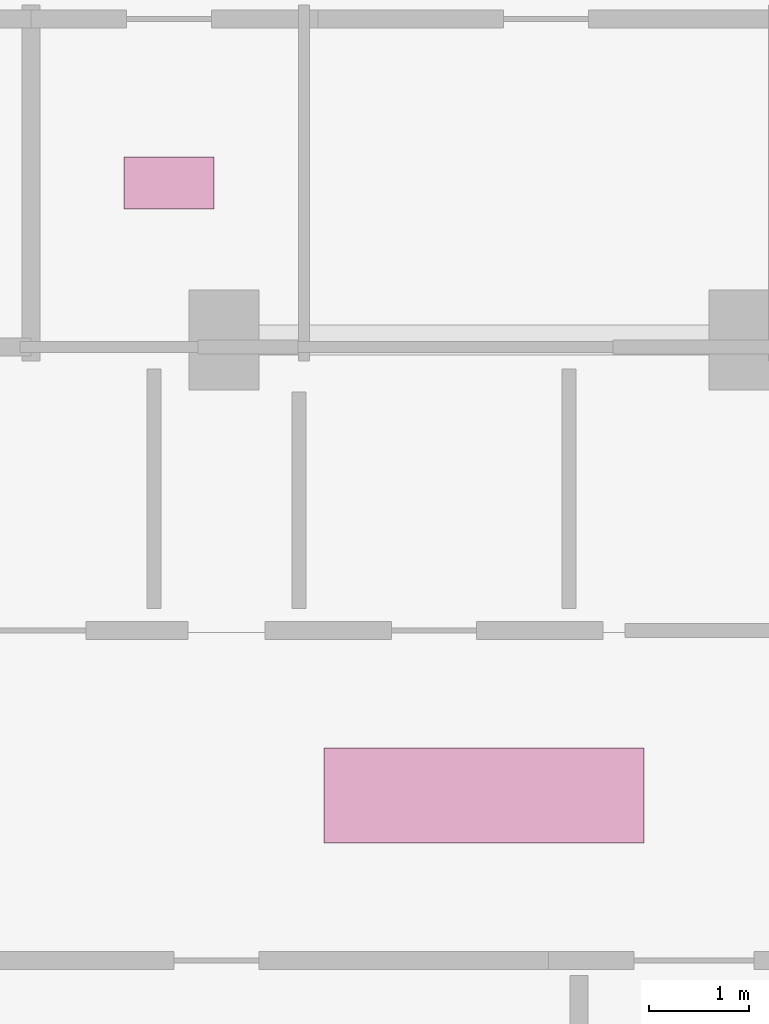
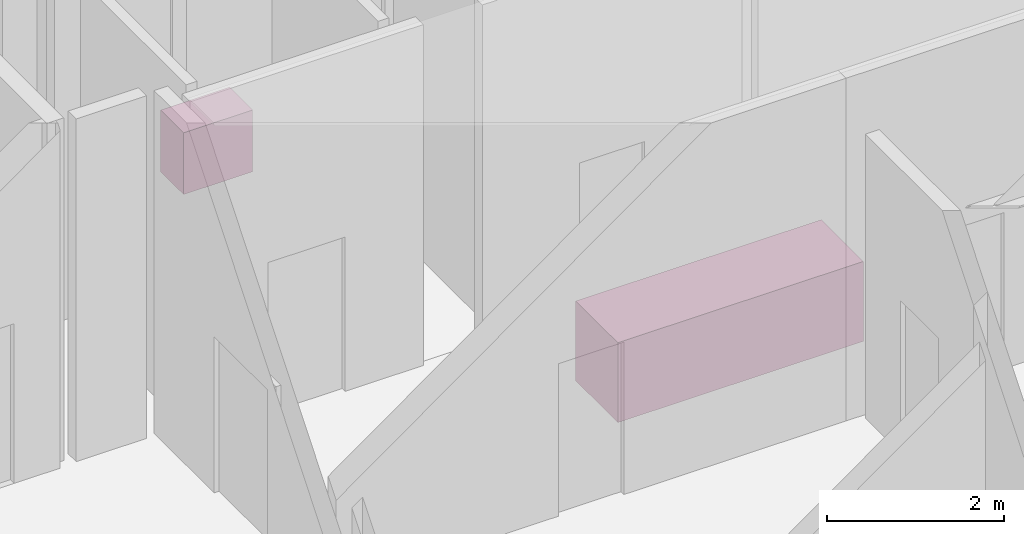
# One storey, part 24 of 24: 2 furnishings.
"""IFC4 building model written with IfcOpenShell, lengths in metres."""

from ifc_helpers import new_model, si_unit, direction, frame, origin, origin_2d, place, context, subcontext, project, spatial, rectangle, extrude, material, type_object, element, save


model = new_model("IFC4")

# Units and contexts
model_context = context("Model", 3, precision=1e-05, world=origin(), true_north=direction((0.0, 1.0)))
body_context = subcontext(model_context, "Body", "Model", "MODEL_VIEW")
ifc_project = project(units=[si_unit("LENGTHUNIT", "METRE"), si_unit("AREAUNIT", "SQUARE_METRE"), si_unit("VOLUMEUNIT", "CUBIC_METRE"), si_unit("PLANEANGLEUNIT", "RADIAN"), si_unit("MASSUNIT", "GRAM", prefix="KILO")], contexts=[model_context])

# Site, building, storey
site_placement = place(None, origin())
site = spatial("IfcSite", under=ifc_project, at=site_placement, CompositionType="ELEMENT")
building_placement = place(site_placement, origin())
building = spatial("IfcBuilding", under=site, at=building_placement, Name="Vorneva Point Tower", CompositionType="ELEMENT")
storey_placement = place(building_placement, frame((0.0, 0.0, 290.39990234375)))
storey = spatial("IfcBuildingStorey", under=building, at=storey_placement, Name="L78", CompositionType="ELEMENT", Elevation=290.39990234375)

# Furnishings
ifc_material_1 = material(Name="Engineered oak fire-rated door leaf", Category="wood")
furniture_type_1 = type_object("IfcFurnitureType", Name="FUR-DSK-3200", AssemblyPlace="NOTDEFINED", PredefinedType="NOTDEFINED", material=ifc_material_1)
furnishing_1_placement = place(storey_placement, frame((38.0, 26.0, -0.0048828125), z_axis=(0.0, 0.0, 1.0), x_axis=(1.0, 0.0, 0.0)))
element("IfcFurnishingElement", 1, at=furnishing_1_placement, inside=storey, type_object=furniture_type_1, Name="L78 Reception and Concierge Desk", ObjectType="L78 Reception and Concierge Desk", context=body_context, shape_type="SweptSolid", body=[
    extrude(rectangle(XDim=3.199951171875, YDim=0.949951171875, at=origin_2d()), origin(), (0.0, 0.0, 1.0), 1.10009765625),
])
ifc_material_2 = material(Name="Vitreous china and granite top", Category="masonry")
furniture_type_2 = type_object("IfcFurnitureType", Name="FUR-VAN-900", AssemblyPlace="NOTDEFINED", PredefinedType="NOTDEFINED", material=ifc_material_2)
furnishing_2_placement = place(storey_placement, frame((34.85009765625, 32.1201171875, -0.0048828125), z_axis=(0.0, 0.0, 1.0), x_axis=(1.0, 0.0, 0.0)))
element("IfcFurnishingElement", 2, at=furnishing_2_placement, inside=storey, type_object=furniture_type_2, Name="L78 Public Male WC Vanity Unit", ObjectType="L78 Public Male WC Vanity Unit", context=body_context, shape_type="SweptSolid", body=[
    extrude(rectangle(XDim=0.89990234375, YDim=0.52001953125, at=origin_2d()), origin(), (0.0, 0.0, 1.0), 0.85009765625),
])

save(model, "model.ifc")
